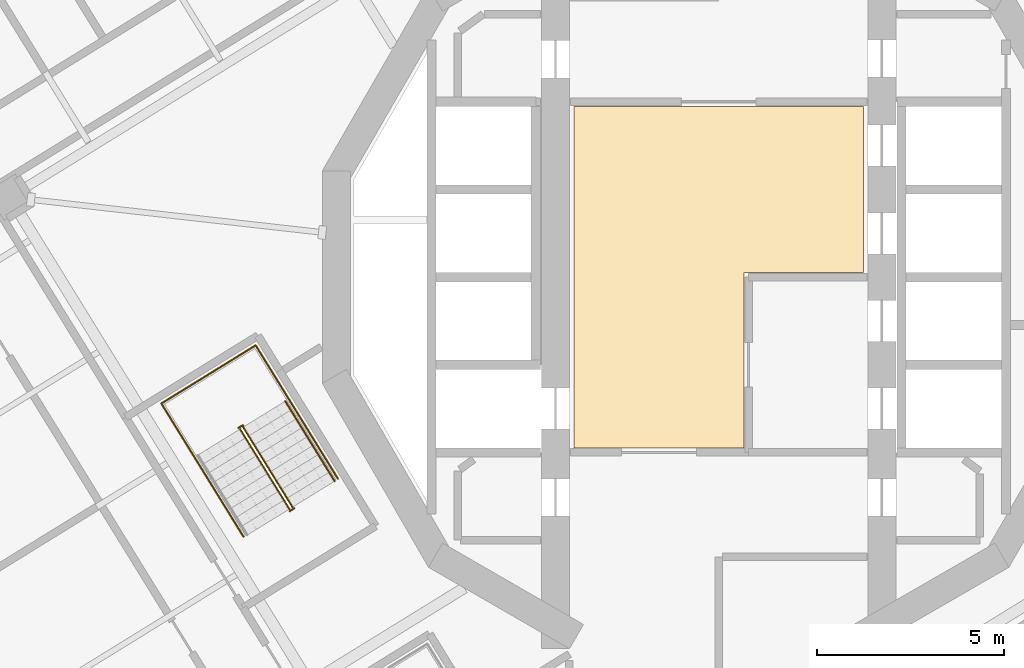
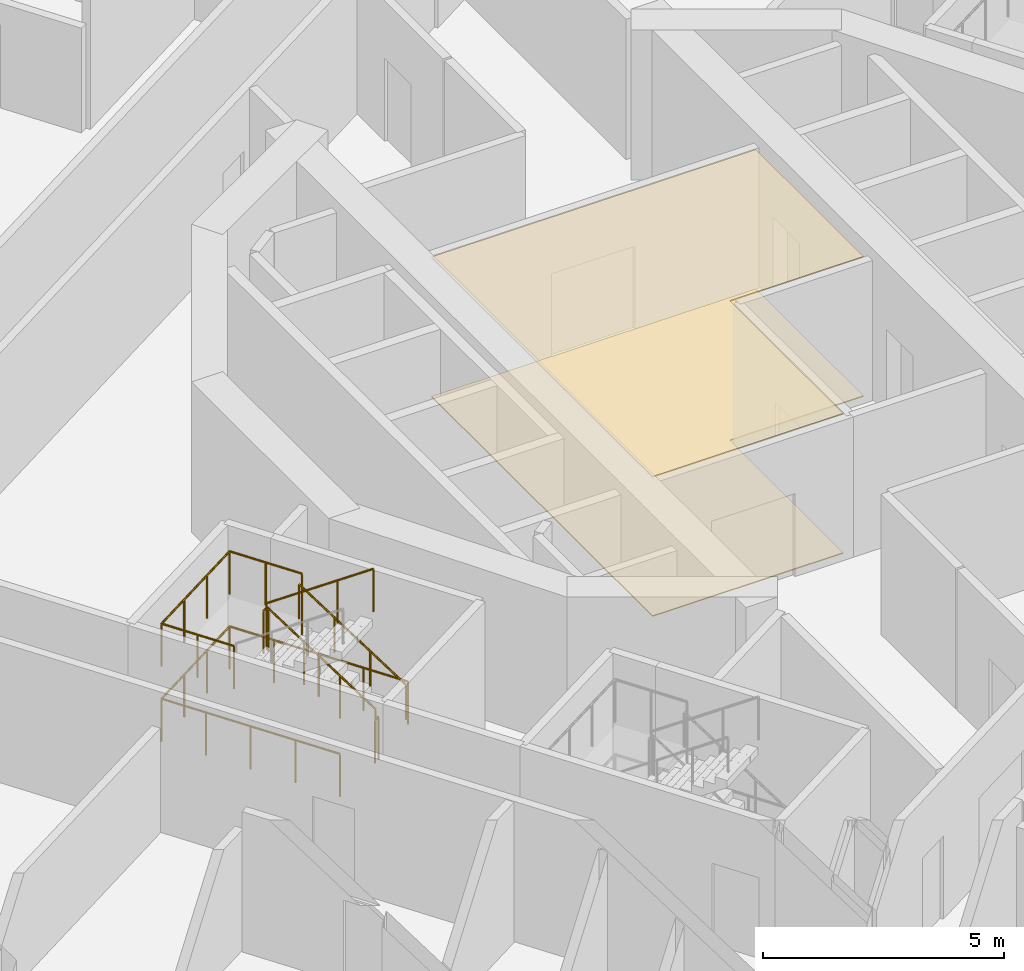
# One storey, part 15 of 21: 6 railings, 2 coverings.
"""IFC4 building model written with IfcOpenShell, lengths in metres."""

from ifc_helpers import new_model, si_unit, direction, frame, origin, origin_2d, place, context, subcontext, project, spatial, polyline, circle, outline, extrude, material, layer, layer_set, type_object, element, save


model = new_model("IFC4")

# Units and contexts
model_context = context("Model", 3, precision=1e-05, world=origin(), true_north=direction((0.0, 1.0)))
body_context = subcontext(model_context, "Body", "Model", "MODEL_VIEW")
ifc_project = project(units=[si_unit("LENGTHUNIT", "METRE"), si_unit("AREAUNIT", "SQUARE_METRE"), si_unit("VOLUMEUNIT", "CUBIC_METRE"), si_unit("PLANEANGLEUNIT", "RADIAN"), si_unit("MASSUNIT", "GRAM", prefix="KILO")], contexts=[model_context])

# Site, building, storey
site_placement = place(None, origin())
site = spatial("IfcSite", under=ifc_project, at=site_placement, CompositionType="ELEMENT")
building_placement = place(site_placement, origin())
building = spatial("IfcBuilding", under=site, at=building_placement, Name="Cantera Rosa Tower", CompositionType="ELEMENT")
storey_placement = place(building_placement, frame((0.0, 0.0, 170.39990234375)))
storey = spatial("IfcBuildingStorey", under=building, at=storey_placement, Name="L37", CompositionType="ELEMENT", Elevation=170.39990234375)

# Railings
ifc_material_1 = material(Name="Steel S355J2 (EN 10025-2)", Category="steel")
railing_type_1 = type_object("IfcRailingType", Name="STAIR GUARD 1100", PredefinedType="GUARDRAIL", material=ifc_material_1)
railing_1_placement = place(storey_placement, frame((-11.42333984375, -6.165771484375, 0.190185546875)))
element("IfcRailing", 1, at=railing_1_placement, inside=storey, type_object=railing_type_1, Name="L37 ST-32 stair guard 1", PredefinedType="GUARDRAIL", context=body_context, shape_type="SweptSolid", body=[
    extrude(circle(Radius=0.02392578125, at=origin_2d()), frame((0.0, 0.0, 1.076171875), z_axis=(-0.434427613125, 0.704271375033, 0.561493080334), x_axis=(-0.851102330005, -0.524999832248, 0.0)), (0.0, 0.0, 1.0), 3.04541015625),
    extrude(circle(Radius=0.02392578125, at=origin_2d()), frame((-1.322998046875, 2.144775390625, 2.7861328125), z_axis=(-0.073711968402, 0.997279572494, 0.0), x_axis=(-0.997279572494, -0.073711968402, 0.0)), (0.0, 0.0, 1.0), 0.056396484375),
    extrude(circle(Radius=0.02392578125, at=origin_2d()), frame((-1.3271484375, 2.200927734375, 2.7861328125), z_axis=(-0.851546489876, -0.524279100842, 0.0), x_axis=(0.524279100842, -0.851546489876, 0.0)), (0.0, 0.0, 1.0), 0.14990234375),
    extrude(circle(Radius=0.02099609375, at=origin_2d()), origin(), (0.0, 0.0, 1.0), 1.052001953125),
    extrude(circle(Radius=0.02099609375, at=origin_2d()), frame((-0.44091796875, 0.71484375, 0.570068359375)), (0.0, 0.0, 1.0), 1.052001953125),
    extrude(circle(Radius=0.02099609375, at=origin_2d()), frame((-0.882080078125, 1.429931640625, 1.139892578125)), (0.0, 0.0, 1.0), 1.052001953125),
    extrude(circle(Radius=0.02099609375, at=origin_2d()), frame((-1.322998046875, 2.144775390625, 1.7099609375)), (0.0, 0.0, 1.0), 1.052001953125),
    extrude(circle(Radius=0.02099609375, at=origin_2d()), frame((-1.3271484375, 2.200927734375, 1.7099609375)), (0.0, 0.0, 1.0), 1.052001953125),
    extrude(circle(Radius=0.02099609375, at=origin_2d()), frame((-1.454833984375, 2.122314453125, 1.7099609375)), (0.0, 0.0, 1.0), 1.052001953125),
])
railing_2_placement = place(storey_placement, frame((-12.82958984375, -4.072509765625, 2.090087890625)))
element("IfcRailing", 2, at=railing_2_placement, inside=storey, type_object=railing_type_1, Name="L37 ST-32 stair guard 2", PredefinedType="GUARDRAIL", context=body_context, shape_type="SweptSolid", body=[
    extrude(circle(Radius=0.02392578125, at=origin_2d()), frame((0.0, 0.0, 1.076171875), z_axis=(0.434362572038, -0.70429590169, 0.561512634654), x_axis=(0.851145618652, 0.524929648476, 0.0)), (0.0, 0.0, 1.0), 3.045166015625),
    extrude(circle(Radius=0.02099609375, at=origin_2d()), origin(), (0.0, 0.0, 1.0), 1.052001953125),
    extrude(circle(Radius=0.02099609375, at=origin_2d()), frame((0.44091796875, -0.71484375, 0.570068359375)), (0.0, 0.0, 1.0), 1.052001953125),
    extrude(circle(Radius=0.02099609375, at=origin_2d()), frame((0.8818359375, -1.429931640625, 1.139892578125)), (0.0, 0.0, 1.0), 1.052001953125),
    extrude(circle(Radius=0.02099609375, at=origin_2d()), frame((1.32275390625, -2.144775390625, 1.7099609375)), (0.0, 0.0, 1.0), 1.052001953125),
])
railing_3_placement = place(storey_placement, frame((-11.375, -6.19482421875, 0.0)))
element("IfcRailing", 3, at=railing_3_placement, inside=storey, type_object=railing_type_1, Name="L37 ST-32 stair guard 3", PredefinedType="GUARDRAIL", context=body_context, shape_type="SweptSolid", body=[
    extrude(circle(Radius=0.02392578125, at=origin_2d()), frame((0.0, 0.0, 1.076171875), z_axis=(-0.851546489876, -0.524279100842, 0.0), x_axis=(0.524279100842, -0.851546489876, 0.0)), (0.0, 0.0, 1.0), 0.14990234375),
    extrude(circle(Radius=0.02099609375, at=origin_2d()), origin(), (0.0, 0.0, 1.0), 1.052001953125),
    extrude(circle(Radius=0.02099609375, at=origin_2d()), frame((-0.127685546875, -0.07861328125, 0.0)), (0.0, 0.0, 1.0), 1.052001953125),
])
railing_4_placement = place(storey_placement, frame((-10.20751953125, -5.40185546875, 0.0)))
element("IfcRailing", 4, at=railing_4_placement, inside=storey, type_object=railing_type_1, Name="L37 ST-32 stair guard 4", PredefinedType="GUARDRAIL", context=body_context, shape_type="SweptSolid", body=[
    extrude(circle(Radius=0.02392578125, at=origin_2d()), frame((0.0, 0.0, 1.076171875), z_axis=(-0.524976478809, 0.851116735059, 0.0), x_axis=(-0.851116735059, -0.524976478809, 0.0)), (0.0, 0.0, 1.0), 4.197998046875),
    extrude(circle(Radius=0.02392578125, at=origin_2d()), frame((-2.203857421875, 3.572998046875, 1.076171875), z_axis=(-0.851132917336, -0.524950242429, 0.0), x_axis=(0.524950242429, -0.851132917336, 0.0)), (0.0, 0.0, 1.0), 2.969970703125),
    extrude(circle(Radius=0.02392578125, at=origin_2d()), frame((-4.731689453125, 2.013916015625, 1.076171875), z_axis=(0.524976478809, -0.851116735059, 0.0), x_axis=(0.851116735059, 0.524976478809, 0.0)), (0.0, 0.0, 1.0), 4.197998046875),
    extrude(circle(Radius=0.02099609375, at=origin_2d()), origin(), (0.0, 0.0, 1.0), 1.052001953125),
    extrude(circle(Radius=0.02099609375, at=origin_2d()), frame((-0.551025390625, 0.893310546875, 0.0)), (0.0, 0.0, 1.0), 1.052001953125),
    extrude(circle(Radius=0.02099609375, at=origin_2d()), frame((-1.10205078125, 1.78662109375, 0.0)), (0.0, 0.0, 1.0), 1.052001953125),
    extrude(circle(Radius=0.02099609375, at=origin_2d()), frame((-1.65283203125, 2.6796875, 0.0)), (0.0, 0.0, 1.0), 1.052001953125),
    extrude(circle(Radius=0.02099609375, at=origin_2d()), frame((-2.203857421875, 3.572998046875, 0.0)), (0.0, 0.0, 1.0), 1.052001953125),
    extrude(circle(Radius=0.02099609375, at=origin_2d()), frame((-3.04638671875, 3.05322265625, 0.0)), (0.0, 0.0, 1.0), 1.052001953125),
    extrude(circle(Radius=0.02099609375, at=origin_2d()), frame((-3.88916015625, 2.53369140625, 0.0)), (0.0, 0.0, 1.0), 1.052001953125),
    extrude(circle(Radius=0.02099609375, at=origin_2d()), frame((-4.731689453125, 2.013916015625, 0.0)), (0.0, 0.0, 1.0), 1.052001953125),
    extrude(circle(Radius=0.02099609375, at=origin_2d()), frame((-4.1806640625, 1.12060546875, 0.0)), (0.0, 0.0, 1.0), 1.052001953125),
    extrude(circle(Radius=0.02099609375, at=origin_2d()), frame((-3.6298828125, 0.2275390625, 0.0)), (0.0, 0.0, 1.0), 1.052001953125),
    extrude(circle(Radius=0.02099609375, at=origin_2d()), frame((-3.078857421875, -0.665771484375, 0.0)), (0.0, 0.0, 1.0), 1.052001953125),
    extrude(circle(Radius=0.02099609375, at=origin_2d()), frame((-2.52783203125, -1.55908203125, 0.0)), (0.0, 0.0, 1.0), 1.052001953125),
])
railing_5_placement = place(storey_placement, frame((-11.517822265625, -3.27734375, 1.900146484375)))
element("IfcRailing", 5, at=railing_5_placement, inside=storey, type_object=railing_type_1, Name="L37 ST-32 stair guard 5", PredefinedType="GUARDRAIL", context=body_context, shape_type="SweptSolid", body=[
    extrude(circle(Radius=0.02392578125, at=origin_2d()), frame((0.0, 0.0, 1.076171875), z_axis=(-0.525025534833, 0.851086474909, 0.0), x_axis=(-0.851086474909, -0.525025534833, 0.0)), (0.0, 0.0, 1.0), 1.701904296875),
    extrude(circle(Radius=0.02392578125, at=origin_2d()), frame((-0.8935546875, 1.448486328125, 1.076171875), z_axis=(-0.851132917336, -0.524950242429, 0.0), x_axis=(0.524950242429, -0.851132917336, 0.0)), (0.0, 0.0, 1.0), 2.969970703125),
    extrude(circle(Radius=0.02392578125, at=origin_2d()), frame((-3.42138671875, -0.110595703125, 1.076171875), z_axis=(0.524961441845, -0.851126009811, 0.0), x_axis=(0.851126009811, 0.524961441845, 0.0)), (0.0, 0.0, 1.0), 1.7021484375),
    extrude(circle(Radius=0.02099609375, at=origin_2d()), origin(), (0.0, 0.0, 1.0), 1.052001953125),
    extrude(circle(Radius=0.02099609375, at=origin_2d()), frame((-0.44677734375, 0.72412109375, 0.0)), (0.0, 0.0, 1.0), 1.052001953125),
    extrude(circle(Radius=0.02099609375, at=origin_2d()), frame((-0.8935546875, 1.448486328125, 0.0)), (0.0, 0.0, 1.0), 1.052001953125),
    extrude(circle(Radius=0.02099609375, at=origin_2d()), frame((-1.736083984375, 0.9287109375, 0.0)), (0.0, 0.0, 1.0), 1.052001953125),
    extrude(circle(Radius=0.02099609375, at=origin_2d()), frame((-2.578857421875, 0.4091796875, 0.0)), (0.0, 0.0, 1.0), 1.052001953125),
    extrude(circle(Radius=0.02099609375, at=origin_2d()), frame((-3.42138671875, -0.110595703125, 0.0)), (0.0, 0.0, 1.0), 1.052001953125),
    extrude(circle(Radius=0.02099609375, at=origin_2d()), frame((-2.974609375, -0.8349609375, 0.0)), (0.0, 0.0, 1.0), 1.052001953125),
    extrude(circle(Radius=0.02099609375, at=origin_2d()), frame((-2.52783203125, -1.559326171875, 0.0)), (0.0, 0.0, 1.0), 1.052001953125),
])
ifc_material_2 = material(Name="Steel S355J2 (EN 10025-2)", Category="steel")
railing_type_2 = type_object("IfcRailingType", Name="STAIR HANDRAIL 900", PredefinedType="HANDRAIL", material=ifc_material_2)
railing_6_placement = place(storey_placement, frame((-10.294677734375, -5.4697265625, 0.190185546875)))
element("IfcRailing", 6, at=railing_6_placement, inside=storey, type_object=railing_type_2, Name="L37 ST-32 stair handrail 1", PredefinedType="HANDRAIL", context=body_context, shape_type="SweptSolid", body=[
    extrude(circle(Radius=0.02392578125, at=origin_2d()), frame((0.0, 0.0, 0.8759765625), z_axis=(-0.434427613125, 0.704271375033, 0.561493080334), x_axis=(-0.851102330005, -0.524999832248, 0.0)), (0.0, 0.0, 1.0), 3.04541015625),
    extrude(circle(Radius=0.02099609375, at=origin_2d()), origin(), (0.0, 0.0, 1.0), 0.851806640625),
    extrude(circle(Radius=0.02099609375, at=origin_2d()), frame((-0.44091796875, 0.71484375, 0.570068359375)), (0.0, 0.0, 1.0), 0.851806640625),
    extrude(circle(Radius=0.02099609375, at=origin_2d()), frame((-0.882080078125, 1.429931640625, 1.139892578125)), (0.0, 0.0, 1.0), 0.851806640625),
    extrude(circle(Radius=0.02099609375, at=origin_2d()), frame((-1.322998046875, 2.144775390625, 1.7099609375)), (0.0, 0.0, 1.0), 0.851806640625),
])

# Coverings
ifc_material_3 = material(Name="Limestone paving", Category="masonry")
ifc_layer_1 = layer(ifc_material_3, 0.02490234375)
ifc_layer_set_1 = layer_set([ifc_layer_1], Name="STONE FLOOR FINISH 25")
covering_type_1 = type_object("IfcCoveringType", Name="STONE FLOOR FINISH 25", PredefinedType="FLOORING", material=ifc_layer_set_1)
covering_1_placement = place(storey_placement, origin())
element("IfcCovering", 7, at=covering_1_placement, inside=storey, type_object=covering_type_1, Name="STONE FLOOR FINISH L37", PredefinedType="FLOORING", context=body_context, shape_type="SweptSolid", body=[
    extrude(outline(polyline([(3.8798828125, 4.580078125), (3.8798828125, 0.1201171875), (0.679931640625, 0.1201171875), (0.679931640625, -4.580078125), (-3.8798828125, -4.580078125), (-3.8798828125, 4.580078125), (3.8798828125, 4.580078125)])), origin(), (0.0, 0.0, 1.0), 0.025146484375),
])
ifc_material_4 = material(Name="Gypsum ceiling tile")
ifc_layer_2 = layer(ifc_material_4, 0.030029296875)
ifc_layer_set_2 = layer_set([ifc_layer_2], Name="SUSPENDED CEILING 30")
covering_type_2 = type_object("IfcCoveringType", Name="SUSPENDED CEILING 30", PredefinedType="CEILING", material=ifc_layer_set_2)
covering_2_placement = place(storey_placement, frame((0.0, 0.0, 3.52001953125)))
element("IfcCovering", 8, at=covering_2_placement, inside=storey, type_object=covering_type_2, Name="SUSPENDED CEILING L37", PredefinedType="CEILING", context=body_context, shape_type="SweptSolid", body=[
    extrude(outline(polyline([(3.8798828125, 4.580078125), (3.8798828125, 0.1201171875), (0.679931640625, 0.1201171875), (0.679931640625, -4.580078125), (-3.8798828125, -4.580078125), (-3.8798828125, 4.580078125), (3.8798828125, 4.580078125)])), origin(), (0.0, 0.0, 1.0), 0.030029296875),
])

save(model, "model.ifc")
